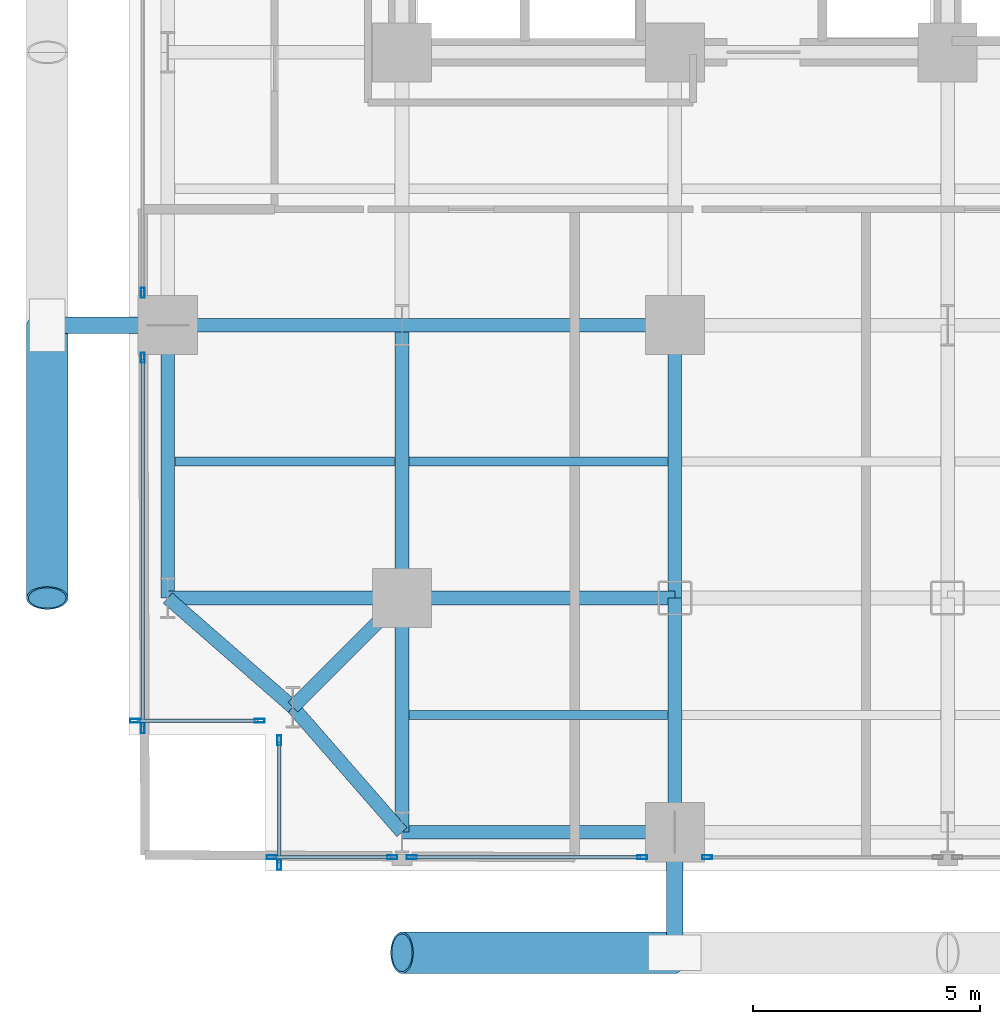
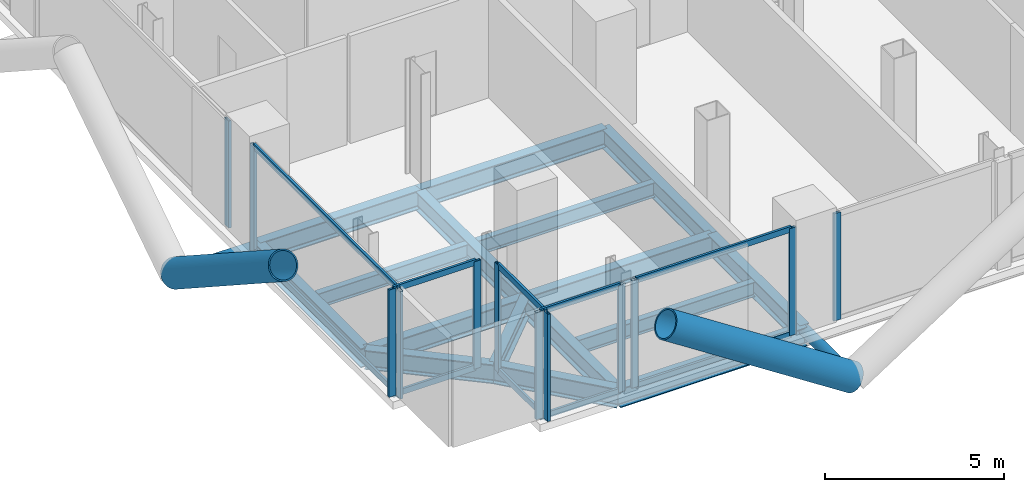
# One storey, part 2 of 27: 26 members, 16 beams, 7 elements without a shape of their own.
"""IFC4 building model written with IfcOpenShell, lengths in metres."""

from ifc_helpers import new_model, si_unit, direction, frame, origin, origin_2d, place, context, subcontext, project, spatial, hollow_rectangle, hollow_circle, i_section, extrude, material, layer, layer_set, material_profile, profile_set, type_object, element, aggregate, save


model = new_model("IFC4")

# Units and contexts
model_context = context("Model", 3, precision=1e-05, world=origin(), true_north=direction((0.0, 1.0)))
body_context = subcontext(model_context, "Body", "Model", "MODEL_VIEW")
ifc_project = project(units=[si_unit("LENGTHUNIT", "METRE"), si_unit("AREAUNIT", "SQUARE_METRE"), si_unit("VOLUMEUNIT", "CUBIC_METRE"), si_unit("PLANEANGLEUNIT", "RADIAN"), si_unit("MASSUNIT", "GRAM", prefix="KILO"), si_unit("THERMODYNAMICTEMPERATUREUNIT", "KELVIN"), si_unit("POWERUNIT", "WATT")], contexts=[model_context])

# Site, building, storey
site_placement = place(None, origin())
site = spatial("IfcSite", under=ifc_project, at=site_placement, CompositionType="ELEMENT")
building_placement = place(site_placement, origin())
building = spatial("IfcBuilding", under=site, at=building_placement, Name="Svarakhadi Broadcast Tower", CompositionType="ELEMENT")
storey_placement = place(building_placement, frame((0.0, 0.0, 75.300048828125)))
storey = spatial("IfcBuildingStorey", under=building, at=storey_placement, Name="L17", CompositionType="ELEMENT", Elevation=75.300048828125)

# Beams
ifc_material_1 = material(Name="Steel S355J2 (IS 2062 E350C)", Category="steel")
ifc_material_profile_1 = material_profile(ifc_material_1, i_section(OverallWidth=0.199951171875, OverallDepth=0.5, WebThickness=0.01025390625, FlangeThickness=0.01611328125, FilletRadius=0.02099609375, at=origin_2d()), Name="NPB 500x200x91")
ifc_profile_set_1 = profile_set([ifc_material_profile_1], Name="Steel S355J2 (IS 2062 E350C)")
beam_type_1 = type_object("IfcBeamType", Name="Beam_NPB500", PredefinedType="BEAM", material=ifc_profile_set_1)
beam_1_placement = place(storey_placement, frame((1.010009765625, 9.0, -0.5), z_axis=(1.0, 0.0, 0.0), x_axis=(0.0, 1.0, 0.0)))
element("IfcBeam", 1, at=beam_1_placement, inside=storey, type_object=beam_type_1, Name="L17 Secondary Composite Beam SB001", PredefinedType="BEAM", context=body_context, shape_type="SweptSolid", body=[
    extrude(i_section(OverallWidth=0.199951171875, OverallDepth=0.5, WebThickness=0.01025390625, FlangeThickness=0.01611328125, FilletRadius=0.02099609375, at=origin_2d()), origin(), (0.0, 0.0, 1.0), 4.830078125),
])
for number, where, z_axis, x_axis, name in (
    (2, (6.159912109375, 3.425048828125, -0.5), (1.0, 0.0, 0.0), (0.0, 1.0, 0.0), "L17 Secondary Composite Beam SB007"),
    (3, (6.159912109375, 9.0, -0.5), (1.0, 0.0, 0.0), (0.0, 1.0, 0.0), "L17 Secondary Composite Beam SB008"),
):
    element("IfcBeam", number, at=place(storey_placement, frame(where, z_axis=z_axis, x_axis=x_axis)), inside=storey, type_object=beam_type_1, Name=name, PredefinedType="BEAM", context=body_context, shape_type="SweptSolid", body=[
        extrude(i_section(OverallWidth=0.199951171875, OverallDepth=0.5, WebThickness=0.01025390625, FlangeThickness=0.01611328125, FilletRadius=0.02099609375, at=origin_2d()), origin(), (0.0, 0.0, 1.0), 5.68017578125),
    ])

# Curtain wall, members
ifc_material_2 = material(Name="Anodised Bronze Aluminium AA 6063-T6", Category="aluminium")
ifc_layer = layer(ifc_material_2, 0.219970703125)
ifc_layer_set = layer_set([ifc_layer], Name="Anodised Bronze Aluminium AA 6063-T6")
curtain_wall_type = type_object("IfcCurtainWallType", Name="CW_Sys_02", PredefinedType="NOTDEFINED", material=ifc_layer_set)
curtain_wall_1_placement = place(storey_placement, origin())
curtain_wall_1 = element("IfcCurtainWall", 4, at=curtain_wall_1_placement, inside=storey, type_object=curtain_wall_type, Name="L17 Unitised Facade Curtain Wall 01", PredefinedType="NOTDEFINED")
ifc_material_profile_2 = material_profile(ifc_material_2, hollow_rectangle(XDim=0.0849609375, YDim=0.219970703125, WallThickness=0.006103515625, at=origin_2d()), Name="ALU MULLION 220x85x6")
ifc_profile_set_2 = profile_set([ifc_material_profile_2], Name="Anodised Bronze Aluminium AA 6063-T6")
member_type_1 = type_object("IfcMemberType", Name="CW_Sys_02_Mul", PredefinedType="MULLION", material=ifc_profile_set_2)
member_1_placement = place(storey_placement, frame((2.867431640625, 3.300048828125, 0.0), z_axis=(0.0, 0.0, 1.0), x_axis=(0.0, -1.0, 0.0)))
member_1 = element("IfcMember", 5, at=member_1_placement, type_object=member_type_1, Name="CW-02 mullion 1", PredefinedType="MULLION", context=body_context, shape_type="SweptSolid", body=[
    extrude(hollow_rectangle(XDim=0.0849609375, YDim=0.219970703125, WallThickness=0.006103515625, at=origin_2d()), origin(), (0.0, 0.0, 1.0), 3.64990234375),
])
member_2_placement = place(storey_placement, frame((0.132568359375, 3.300048828125, 0.0), z_axis=(0.0, 0.0, 1.0), x_axis=(0.0, -1.0, 0.0)))
member_2 = element("IfcMember", 6, at=member_2_placement, type_object=member_type_1, Name="CW-02 mullion 2", PredefinedType="MULLION", context=body_context, shape_type="SweptSolid", body=[
    extrude(hollow_rectangle(XDim=0.0849609375, YDim=0.219970703125, WallThickness=0.006103515625, at=origin_2d()), origin(), (0.0, 0.0, 1.0), 3.64990234375),
])

curtain_wall_2_placement = place(storey_placement, origin())
curtain_wall_2 = element("IfcCurtainWall", 7, at=curtain_wall_2_placement, inside=storey, type_object=curtain_wall_type, Name="L17 West Curtain Wall 02 Bay 1", PredefinedType="NOTDEFINED")
member_3_placement = place(storey_placement, frame((0.300048828125, 3.132568359375, 0.0), z_axis=(0.0, 0.0, 1.0), x_axis=(-1.0, 0.0, 0.0)))
member_3 = element("IfcMember", 8, at=member_3_placement, type_object=member_type_1, Name="CW-02 mullion 1", PredefinedType="MULLION", context=body_context, shape_type="SweptSolid", body=[
    extrude(hollow_rectangle(XDim=0.0849609375, YDim=0.219970703125, WallThickness=0.006103515625, at=origin_2d()), origin(), (0.0, 0.0, 1.0), 3.64990234375),
])
member_4_placement = place(storey_placement, frame((0.300048828125, 11.28759765625, 0.0), z_axis=(0.0, 0.0, 1.0), x_axis=(-1.0, 0.0, 0.0)))
member_4 = element("IfcMember", 9, at=member_4_placement, type_object=member_type_1, Name="CW-02 mullion 2", PredefinedType="MULLION", context=body_context, shape_type="SweptSolid", body=[
    extrude(hollow_rectangle(XDim=0.0849609375, YDim=0.219970703125, WallThickness=0.006103515625, at=origin_2d()), origin(), (0.0, 0.0, 1.0), 3.64990234375),
])

# Curtain wall, member
curtain_wall_3_placement = place(storey_placement, origin())
curtain_wall_3 = element("IfcCurtainWall", 10, at=curtain_wall_3_placement, inside=storey, type_object=curtain_wall_type, Name="L17 West Curtain Wall 02 Bay 2", PredefinedType="NOTDEFINED")
member_5_placement = place(storey_placement, frame((0.300048828125, 12.71240234375, 0.0), z_axis=(0.0, 0.0, 1.0), x_axis=(-1.0, 0.0, 0.0)))
member_5 = element("IfcMember", 11, at=member_5_placement, type_object=member_type_1, Name="CW-02 mullion 1", PredefinedType="MULLION", context=body_context, shape_type="SweptSolid", body=[
    extrude(hollow_rectangle(XDim=0.0849609375, YDim=0.219970703125, WallThickness=0.006103515625, at=origin_2d()), origin(), (0.0, 0.0, 1.0), 3.64990234375),
])
aggregate(curtain_wall_3, [member_5])

curtain_wall_4_placement = place(storey_placement, origin())
curtain_wall_4 = element("IfcCurtainWall", 12, at=curtain_wall_4_placement, inside=storey, type_object=curtain_wall_type, Name="L17 South Curtain Wall 17 Bay 5", PredefinedType="NOTDEFINED")
member_6_placement = place(storey_placement, frame((12.71240234375, 0.300048828125, 0.0), z_axis=(0.0, 0.0, 1.0), x_axis=(0.0, -1.0, 0.0)))
member_6 = element("IfcMember", 13, at=member_6_placement, type_object=member_type_1, Name="CW-02 mullion 2", PredefinedType="MULLION", context=body_context, shape_type="SweptSolid", body=[
    extrude(hollow_rectangle(XDim=0.0849609375, YDim=0.219970703125, WallThickness=0.006103515625, at=origin_2d()), origin(), (0.0, 0.0, 1.0), 3.64990234375),
])
aggregate(curtain_wall_4, [member_6])

# Curtain wall, members
curtain_wall_5_placement = place(storey_placement, origin())
curtain_wall_5 = element("IfcCurtainWall", 14, at=curtain_wall_5_placement, inside=storey, type_object=curtain_wall_type, Name="L17 South Curtain Wall 17 Bay 6", PredefinedType="NOTDEFINED")
member_7_placement = place(storey_placement, frame((11.28759765625, 0.300048828125, 0.0), z_axis=(0.0, 0.0, 1.0), x_axis=(0.0, -1.0, 0.0)))
member_7 = element("IfcMember", 15, at=member_7_placement, type_object=member_type_1, Name="CW-02 mullion 1", PredefinedType="MULLION", context=body_context, shape_type="SweptSolid", body=[
    extrude(hollow_rectangle(XDim=0.0849609375, YDim=0.219970703125, WallThickness=0.006103515625, at=origin_2d()), origin(), (0.0, 0.0, 1.0), 3.64990234375),
])
member_8_placement = place(storey_placement, frame((6.21240234375, 0.300048828125, 0.0), z_axis=(0.0, 0.0, 1.0), x_axis=(0.0, -1.0, 0.0)))
member_8 = element("IfcMember", 16, at=member_8_placement, type_object=member_type_1, Name="CW-02 mullion 2", PredefinedType="MULLION", context=body_context, shape_type="SweptSolid", body=[
    extrude(hollow_rectangle(XDim=0.0849609375, YDim=0.219970703125, WallThickness=0.006103515625, at=origin_2d()), origin(), (0.0, 0.0, 1.0), 3.64990234375),
])

curtain_wall_6_placement = place(storey_placement, origin())
curtain_wall_6 = element("IfcCurtainWall", 17, at=curtain_wall_6_placement, inside=storey, type_object=curtain_wall_type, Name="L17 South Curtain Wall 17 Bay 7", PredefinedType="NOTDEFINED")
member_9_placement = place(storey_placement, frame((5.78759765625, 0.300048828125, 0.0), z_axis=(0.0, 0.0, 1.0), x_axis=(0.0, -1.0, 0.0)))
member_9 = element("IfcMember", 18, at=member_9_placement, type_object=member_type_1, Name="CW-02 mullion 1", PredefinedType="MULLION", context=body_context, shape_type="SweptSolid", body=[
    extrude(hollow_rectangle(XDim=0.0849609375, YDim=0.219970703125, WallThickness=0.006103515625, at=origin_2d()), origin(), (0.0, 0.0, 1.0), 3.64990234375),
])
member_10_placement = place(storey_placement, frame((3.132568359375, 0.300048828125, 0.0), z_axis=(0.0, 0.0, 1.0), x_axis=(0.0, -1.0, 0.0)))
member_10 = element("IfcMember", 19, at=member_10_placement, type_object=member_type_1, Name="CW-02 mullion 2", PredefinedType="MULLION", context=body_context, shape_type="SweptSolid", body=[
    extrude(hollow_rectangle(XDim=0.0849609375, YDim=0.219970703125, WallThickness=0.006103515625, at=origin_2d()), origin(), (0.0, 0.0, 1.0), 3.64990234375),
])

curtain_wall_7_placement = place(storey_placement, origin())
curtain_wall_7 = element("IfcCurtainWall", 20, at=curtain_wall_7_placement, inside=storey, type_object=curtain_wall_type, Name="L17 Unitised Facade Curtain Wall 18", PredefinedType="NOTDEFINED")
member_11_placement = place(storey_placement, frame((3.300048828125, 0.132568359375, 0.0), z_axis=(0.0, 0.0, 1.0), x_axis=(-1.0, 0.0, 0.0)))
member_11 = element("IfcMember", 21, at=member_11_placement, type_object=member_type_1, Name="CW-02 mullion 1", PredefinedType="MULLION", context=body_context, shape_type="SweptSolid", body=[
    extrude(hollow_rectangle(XDim=0.0849609375, YDim=0.219970703125, WallThickness=0.006103515625, at=origin_2d()), origin(), (0.0, 0.0, 1.0), 3.64990234375),
])
member_12_placement = place(storey_placement, frame((3.300048828125, 2.867431640625, 0.0), z_axis=(0.0, 0.0, 1.0), x_axis=(-1.0, 0.0, 0.0)))
member_12 = element("IfcMember", 22, at=member_12_placement, type_object=member_type_1, Name="CW-02 mullion 2", PredefinedType="MULLION", context=body_context, shape_type="SweptSolid", body=[
    extrude(hollow_rectangle(XDim=0.0849609375, YDim=0.219970703125, WallThickness=0.006103515625, at=origin_2d()), origin(), (0.0, 0.0, 1.0), 3.64990234375),
])

# Member
ifc_material_profile_3 = material_profile(ifc_material_2, hollow_rectangle(XDim=0.074951171875, YDim=0.199951171875, WallThickness=0.0048828125, at=origin_2d()), Name="ALU TRANSOM 200x75x5")
ifc_profile_set_3 = profile_set([ifc_material_profile_3], Name="Anodised Bronze Aluminium AA 6063-T6")
member_type_2 = type_object("IfcMemberType", Name="CW_Sys_02_Trn", PredefinedType="USERDEFINED", material=ifc_profile_set_3)
member_13_placement = place(storey_placement, frame((2.824951171875, 3.300048828125, 0.037353515625), z_axis=(-1.0, 0.0, 0.0), x_axis=(0.0, -1.0, 0.0)))
member_13 = element("IfcMember", 23, at=member_13_placement, type_object=member_type_2, Name="CW-02 transom 1.1", ObjectType="TRANSOM", PredefinedType="USERDEFINED", context=body_context, shape_type="SweptSolid", body=[
    extrude(hollow_rectangle(XDim=0.074951171875, YDim=0.199951171875, WallThickness=0.0048828125, at=origin_2d()), origin(), (0.0, 0.0, 1.0), 2.64990234375),
])

member_14_placement = place(storey_placement, frame((2.824951171875, 3.300048828125, 3.612548828125), z_axis=(-1.0, 0.0, 0.0), x_axis=(0.0, -1.0, 0.0)))
member_14 = element("IfcMember", 24, at=member_14_placement, type_object=member_type_2, Name="CW-02 transom 1.2", ObjectType="TRANSOM", PredefinedType="USERDEFINED", context=body_context, shape_type="SweptSolid", body=[
    extrude(hollow_rectangle(XDim=0.074951171875, YDim=0.199951171875, WallThickness=0.0048828125, at=origin_2d()), origin(), (0.0, 0.0, 1.0), 2.64990234375),
])

aggregate(curtain_wall_1, [member_1, member_2, member_13, member_14])

member_15_placement = place(storey_placement, frame((0.300048828125, 3.175048828125, 0.037353515625), z_axis=(0.0, 1.0, 0.0), x_axis=(-1.0, 0.0, 0.0)))
member_15 = element("IfcMember", 25, at=member_15_placement, type_object=member_type_2, Name="CW-02 transom 1.1", ObjectType="TRANSOM", PredefinedType="USERDEFINED", context=body_context, shape_type="SweptSolid", body=[
    extrude(hollow_rectangle(XDim=0.074951171875, YDim=0.199951171875, WallThickness=0.0048828125, at=origin_2d()), origin(), (0.0, 0.0, 1.0), 8.070068359375),
])

member_16_placement = place(storey_placement, frame((0.300048828125, 3.175048828125, 3.612548828125), z_axis=(0.0, 1.0, 0.0), x_axis=(-1.0, 0.0, 0.0)))
member_16 = element("IfcMember", 26, at=member_16_placement, type_object=member_type_2, Name="CW-02 transom 1.2", ObjectType="TRANSOM", PredefinedType="USERDEFINED", context=body_context, shape_type="SweptSolid", body=[
    extrude(hollow_rectangle(XDim=0.074951171875, YDim=0.199951171875, WallThickness=0.0048828125, at=origin_2d()), origin(), (0.0, 0.0, 1.0), 8.070068359375),
])

aggregate(curtain_wall_2, [member_3, member_4, member_15, member_16])

member_17_placement = place(storey_placement, frame((11.2451171875, 0.300048828125, 0.037353515625), z_axis=(-1.0, 0.0, 0.0), x_axis=(0.0, -1.0, 0.0)))
member_17 = element("IfcMember", 27, at=member_17_placement, type_object=member_type_2, Name="CW-02 transom 1.1", ObjectType="TRANSOM", PredefinedType="USERDEFINED", context=body_context, shape_type="SweptSolid", body=[
    extrude(hollow_rectangle(XDim=0.074951171875, YDim=0.199951171875, WallThickness=0.0048828125, at=origin_2d()), origin(), (0.0, 0.0, 1.0), 4.990234375),
])

member_18_placement = place(storey_placement, frame((11.2451171875, 0.300048828125, 3.612548828125), z_axis=(-1.0, 0.0, 0.0), x_axis=(0.0, -1.0, 0.0)))
member_18 = element("IfcMember", 28, at=member_18_placement, type_object=member_type_2, Name="CW-02 transom 1.2", ObjectType="TRANSOM", PredefinedType="USERDEFINED", context=body_context, shape_type="SweptSolid", body=[
    extrude(hollow_rectangle(XDim=0.074951171875, YDim=0.199951171875, WallThickness=0.0048828125, at=origin_2d()), origin(), (0.0, 0.0, 1.0), 4.990234375),
])

aggregate(curtain_wall_5, [member_7, member_8, member_17, member_18])

member_19_placement = place(storey_placement, frame((5.7451171875, 0.300048828125, 0.037353515625), z_axis=(-1.0, 0.0, 0.0), x_axis=(0.0, -1.0, 0.0)))
member_19 = element("IfcMember", 29, at=member_19_placement, type_object=member_type_2, Name="CW-02 transom 1.1", ObjectType="TRANSOM", PredefinedType="USERDEFINED", context=body_context, shape_type="SweptSolid", body=[
    extrude(hollow_rectangle(XDim=0.074951171875, YDim=0.199951171875, WallThickness=0.0048828125, at=origin_2d()), origin(), (0.0, 0.0, 1.0), 2.570068359375),
])

member_20_placement = place(storey_placement, frame((5.7451171875, 0.300048828125, 3.612548828125), z_axis=(-1.0, 0.0, 0.0), x_axis=(0.0, -1.0, 0.0)))
member_20 = element("IfcMember", 30, at=member_20_placement, type_object=member_type_2, Name="CW-02 transom 1.2", ObjectType="TRANSOM", PredefinedType="USERDEFINED", context=body_context, shape_type="SweptSolid", body=[
    extrude(hollow_rectangle(XDim=0.074951171875, YDim=0.199951171875, WallThickness=0.0048828125, at=origin_2d()), origin(), (0.0, 0.0, 1.0), 2.570068359375),
])

aggregate(curtain_wall_6, [member_9, member_10, member_19, member_20])

member_21_placement = place(storey_placement, frame((3.300048828125, 0.175048828125, 0.037353515625), z_axis=(0.0, 1.0, 0.0), x_axis=(-1.0, 0.0, 0.0)))
member_21 = element("IfcMember", 31, at=member_21_placement, type_object=member_type_2, Name="CW-02 transom 1.1", ObjectType="TRANSOM", PredefinedType="USERDEFINED", context=body_context, shape_type="SweptSolid", body=[
    extrude(hollow_rectangle(XDim=0.074951171875, YDim=0.199951171875, WallThickness=0.0048828125, at=origin_2d()), origin(), (0.0, 0.0, 1.0), 2.64990234375),
])

member_22_placement = place(storey_placement, frame((3.300048828125, 0.175048828125, 3.612548828125), z_axis=(0.0, 1.0, 0.0), x_axis=(-1.0, 0.0, 0.0)))
member_22 = element("IfcMember", 32, at=member_22_placement, type_object=member_type_2, Name="CW-02 transom 1.2", ObjectType="TRANSOM", PredefinedType="USERDEFINED", context=body_context, shape_type="SweptSolid", body=[
    extrude(hollow_rectangle(XDim=0.074951171875, YDim=0.199951171875, WallThickness=0.0048828125, at=origin_2d()), origin(), (0.0, 0.0, 1.0), 2.64990234375),
])

aggregate(curtain_wall_7, [member_11, member_12, member_21, member_22])

# Members
ifc_material_3 = material(Name="Steel S460ML (IS 2062 E450BR)", Category="steel")
ifc_material_profile_4 = material_profile(ifc_material_3, hollow_circle(Radius=0.45703125, WallThickness=0.044921875, at=origin_2d()), Name="CHS 914x45")
ifc_profile_set_4 = profile_set([ifc_material_profile_4], Name="Steel S460ML (IS 2062 E450BR)")
member_type_3 = type_object("IfcMemberType", Name="Exo_Brace_CHS914", PredefinedType="BRACE", material=ifc_profile_set_4)
for number, where, z_axis, x_axis, name in (
    (33, (12.0, -1.800048828125, -0.427734375), (-0.838449851971, 0.0, 0.544978757136), (0.0, -1.0, 0.0), "L17 Exposed Bronze Exoskeleton Diagonal S01"),
    (34, (-1.800048828125, 12.0, -0.427734375), (0.0, -0.838449851971, 0.544978757136), (1.0, 0.0, 0.0), "L17 Exposed Bronze Exoskeleton Diagonal W06"),
):
    element("IfcMember", number, at=place(storey_placement, frame(where, z_axis=z_axis, x_axis=x_axis)), inside=storey, type_object=member_type_3, Name=name, PredefinedType="BRACE", context=body_context, shape_type="SweptSolid", body=[
        extrude(hollow_circle(Radius=0.45703125, WallThickness=0.044921875, at=origin_2d()), origin(), (0.0, 0.0, 1.0), 7.156005859375),
    ])
ifc_material_profile_5 = material_profile(ifc_material_3, hollow_circle(Radius=0.177734375, WallThickness=0.02001953125, at=origin_2d()), Name="CHS 355.6x20")
ifc_profile_set_5 = profile_set([ifc_material_profile_5], Name="Steel S460ML (IS 2062 E450BR)")
member_type_4 = type_object("IfcMemberType", Name="Exo_Radial_Strut_Z1", PredefinedType="STRUT", material=ifc_profile_set_5)
for number, where, z_axis, x_axis, name in (
    (35, (12.0, -1.800048828125, -0.427734375), (0.0, 1.0, 0.0), (-1.0, 0.0, 0.0), "L17 Exoskeleton Radial Tie Strut S01"),
    (36, (-1.800048828125, 12.0, -0.427734375), (1.0, 0.0, 0.0), (0.0, 1.0, 0.0), "L17 Exoskeleton Radial Tie Strut W04"),
):
    element("IfcMember", number, at=place(storey_placement, frame(where, z_axis=z_axis, x_axis=x_axis)), inside=storey, type_object=member_type_4, Name=name, PredefinedType="STRUT", context=body_context, shape_type="SweptSolid", body=[
        extrude(hollow_circle(Radius=0.177734375, WallThickness=0.02001953125, at=origin_2d()), origin(), (0.0, 0.0, 1.0), 2.650146484375),
    ])

# Beams
ifc_material_profile_6 = material_profile(ifc_material_1, i_section(OverallWidth=0.300048828125, OverallDepth=0.64990234375, WebThickness=0.01611328125, FlangeThickness=0.031005859375, FilletRadius=0.027099609375, at=origin_2d()), Name="WPB 650x300x225")
ifc_profile_set_6 = profile_set([ifc_material_profile_6], Name="Steel S355J2 (IS 2062 E350C)")
beam_type_2 = type_object("IfcBeamType", Name="Girder_WPB650", PredefinedType="USERDEFINED", material=ifc_profile_set_6)
beam_2_placement = place(storey_placement, frame((3.60009765625, 3.60009765625, -0.574951171875), z_axis=(0.707106781187, 0.707106781187, 0.0), x_axis=(-0.707106781187, 0.707106781187, 0.0)))
element("IfcBeam", 37, at=beam_2_placement, inside=storey, type_object=beam_type_2, Name="L17 Corner Tie Girder G001", ObjectType="GIRDER", PredefinedType="USERDEFINED", context=body_context, shape_type="SweptSolid", body=[
    extrude(i_section(OverallWidth=0.300048828125, OverallDepth=0.64990234375, WebThickness=0.01611328125, FlangeThickness=0.031005859375, FilletRadius=0.027099609375, at=origin_2d()), origin(), (0.0, 0.0, 1.0), 3.39404296875),
])
for number, where, z_axis, x_axis, name in (
    (38, (3.60009765625, 3.60009765625, -0.574951171875), (-0.753437912176, 0.657519058655, 0.0), (-0.657519058655, -0.753437912176, 0.0), "L17 Corner Tie Girder G002"),
    (39, (3.60009765625, 3.60009765625, -0.574951171875), (0.657519058655, -0.753437912176, 0.0), (0.753437912176, 0.657519058655, 0.0), "L17 Corner Tie Girder G003"),
):
    element("IfcBeam", number, at=place(storey_placement, frame(where, z_axis=z_axis, x_axis=x_axis)), inside=storey, type_object=beam_type_2, Name=name, ObjectType="GIRDER", PredefinedType="USERDEFINED", context=body_context, shape_type="SweptSolid", body=[
        extrude(i_section(OverallWidth=0.300048828125, OverallDepth=0.64990234375, WebThickness=0.01611328125, FlangeThickness=0.031005859375, FilletRadius=0.027099609375, at=origin_2d()), origin(), (0.0, 0.0, 1.0), 3.64990234375),
    ])
beam_3_placement = place(storey_placement, frame((6.0, 0.85009765625, -0.574951171875), z_axis=(1.0, 0.0, 0.0), x_axis=(0.0, 1.0, 0.0)))
element("IfcBeam", 40, at=beam_3_placement, inside=storey, type_object=beam_type_2, Name="L17 Primary E-W Girder G004", ObjectType="GIRDER", PredefinedType="USERDEFINED", context=body_context, shape_type="SweptSolid", body=[
    extrude(i_section(OverallWidth=0.300048828125, OverallDepth=0.64990234375, WebThickness=0.01611328125, FlangeThickness=0.031005859375, FilletRadius=0.027099609375, at=origin_2d()), origin(), (0.0, 0.0, 1.0), 6.0),
])
beam_4_placement = place(storey_placement, frame((0.85009765625, 6.0, -0.574951171875), z_axis=(1.0, 0.0, 0.0), x_axis=(0.0, 1.0, 0.0)))
element("IfcBeam", 41, at=beam_4_placement, inside=storey, type_object=beam_type_2, Name="L17 Primary E-W Girder G011", ObjectType="GIRDER", PredefinedType="USERDEFINED", context=body_context, shape_type="SweptSolid", body=[
    extrude(i_section(OverallWidth=0.300048828125, OverallDepth=0.64990234375, WebThickness=0.01611328125, FlangeThickness=0.031005859375, FilletRadius=0.027099609375, at=origin_2d()), origin(), (0.0, 0.0, 1.0), 5.14990234375),
])
beam_5_placement = place(storey_placement, frame((6.0, 6.0, -0.574951171875), z_axis=(1.0, 0.0, 0.0), x_axis=(0.0, 1.0, 0.0)))
element("IfcBeam", 42, at=beam_5_placement, inside=storey, type_object=beam_type_2, Name="L17 Primary E-W Girder G012", ObjectType="GIRDER", PredefinedType="USERDEFINED", context=body_context, shape_type="SweptSolid", body=[
    extrude(i_section(OverallWidth=0.300048828125, OverallDepth=0.64990234375, WebThickness=0.01611328125, FlangeThickness=0.031005859375, FilletRadius=0.027099609375, at=origin_2d()), origin(), (0.0, 0.0, 1.0), 6.0),
])
beam_6_placement = place(storey_placement, frame((0.85009765625, 12.0, -0.574951171875), z_axis=(1.0, 0.0, 0.0), x_axis=(0.0, 1.0, 0.0)))
element("IfcBeam", 43, at=beam_6_placement, inside=storey, type_object=beam_type_2, Name="L17 Primary E-W Girder G019", ObjectType="GIRDER", PredefinedType="USERDEFINED", context=body_context, shape_type="SweptSolid", body=[
    extrude(i_section(OverallWidth=0.300048828125, OverallDepth=0.64990234375, WebThickness=0.01611328125, FlangeThickness=0.031005859375, FilletRadius=0.027099609375, at=origin_2d()), origin(), (0.0, 0.0, 1.0), 5.14990234375),
])
for number, where, z_axis, x_axis, name in (
    (44, (6.0, 12.0, -0.574951171875), (1.0, 0.0, 0.0), (0.0, 1.0, 0.0), "L17 Primary E-W Girder G020"),
    (45, (0.85009765625, 6.0, -0.574951171875), (0.0, 1.0, 0.0), (-1.0, 0.0, 0.0), "L17 Primary N-S Girder G045"),
):
    element("IfcBeam", number, at=place(storey_placement, frame(where, z_axis=z_axis, x_axis=x_axis)), inside=storey, type_object=beam_type_2, Name=name, ObjectType="GIRDER", PredefinedType="USERDEFINED", context=body_context, shape_type="SweptSolid", body=[
        extrude(i_section(OverallWidth=0.300048828125, OverallDepth=0.64990234375, WebThickness=0.01611328125, FlangeThickness=0.031005859375, FilletRadius=0.027099609375, at=origin_2d()), origin(), (0.0, 0.0, 1.0), 6.0),
    ])
beam_7_placement = place(storey_placement, frame((6.0, 0.85009765625, -0.574951171875), z_axis=(0.0, 1.0, 0.0), x_axis=(-1.0, 0.0, 0.0)))
element("IfcBeam", 46, at=beam_7_placement, inside=storey, type_object=beam_type_2, Name="L17 Primary N-S Girder G051", ObjectType="GIRDER", PredefinedType="USERDEFINED", context=body_context, shape_type="SweptSolid", body=[
    extrude(i_section(OverallWidth=0.300048828125, OverallDepth=0.64990234375, WebThickness=0.01611328125, FlangeThickness=0.031005859375, FilletRadius=0.027099609375, at=origin_2d()), origin(), (0.0, 0.0, 1.0), 5.14990234375),
])
beam_8_placement = place(storey_placement, frame((6.0, 6.0, -0.574951171875), z_axis=(0.0, 1.0, 0.0), x_axis=(-1.0, 0.0, 0.0)))
element("IfcBeam", 47, at=beam_8_placement, inside=storey, type_object=beam_type_2, Name="L17 Primary N-S Girder G052", ObjectType="GIRDER", PredefinedType="USERDEFINED", context=body_context, shape_type="SweptSolid", body=[
    extrude(i_section(OverallWidth=0.300048828125, OverallDepth=0.64990234375, WebThickness=0.01611328125, FlangeThickness=0.031005859375, FilletRadius=0.027099609375, at=origin_2d()), origin(), (0.0, 0.0, 1.0), 6.0),
])
beam_9_placement = place(storey_placement, frame((12.0, 0.85009765625, -0.574951171875), z_axis=(0.0, 1.0, 0.0), x_axis=(-1.0, 0.0, 0.0)))
element("IfcBeam", 48, at=beam_9_placement, inside=storey, type_object=beam_type_2, Name="L17 Primary N-S Girder G058", ObjectType="GIRDER", PredefinedType="USERDEFINED", context=body_context, shape_type="SweptSolid", body=[
    extrude(i_section(OverallWidth=0.300048828125, OverallDepth=0.64990234375, WebThickness=0.01611328125, FlangeThickness=0.031005859375, FilletRadius=0.027099609375, at=origin_2d()), origin(), (0.0, 0.0, 1.0), 5.14990234375),
])
beam_10_placement = place(storey_placement, frame((12.0, 6.0, -0.574951171875), z_axis=(0.0, 1.0, 0.0), x_axis=(-1.0, 0.0, 0.0)))
element("IfcBeam", 49, at=beam_10_placement, inside=storey, type_object=beam_type_2, Name="L17 Primary N-S Girder G059", ObjectType="GIRDER", PredefinedType="USERDEFINED", context=body_context, shape_type="SweptSolid", body=[
    extrude(i_section(OverallWidth=0.300048828125, OverallDepth=0.64990234375, WebThickness=0.01611328125, FlangeThickness=0.031005859375, FilletRadius=0.027099609375, at=origin_2d()), origin(), (0.0, 0.0, 1.0), 6.0),
])

save(model, "model.ifc")
